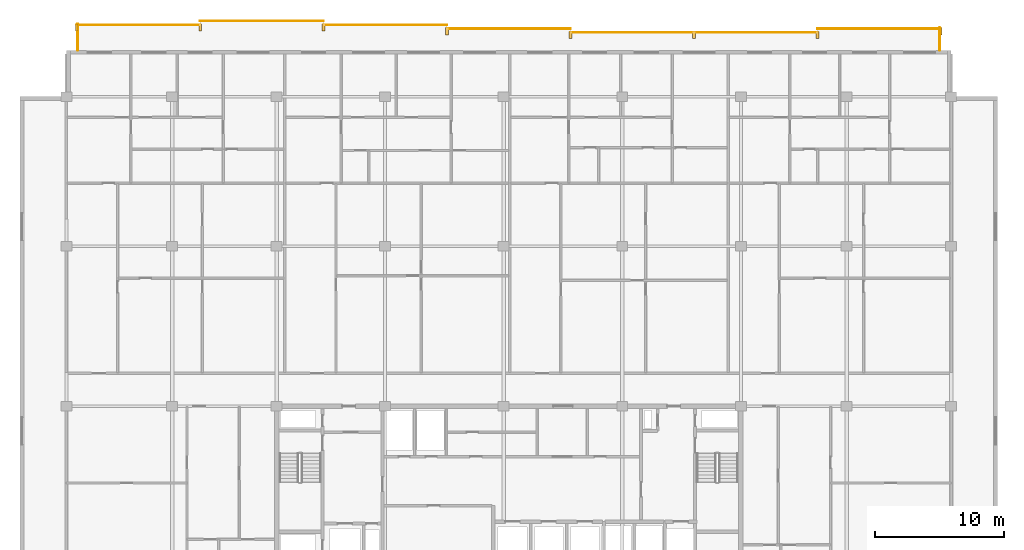
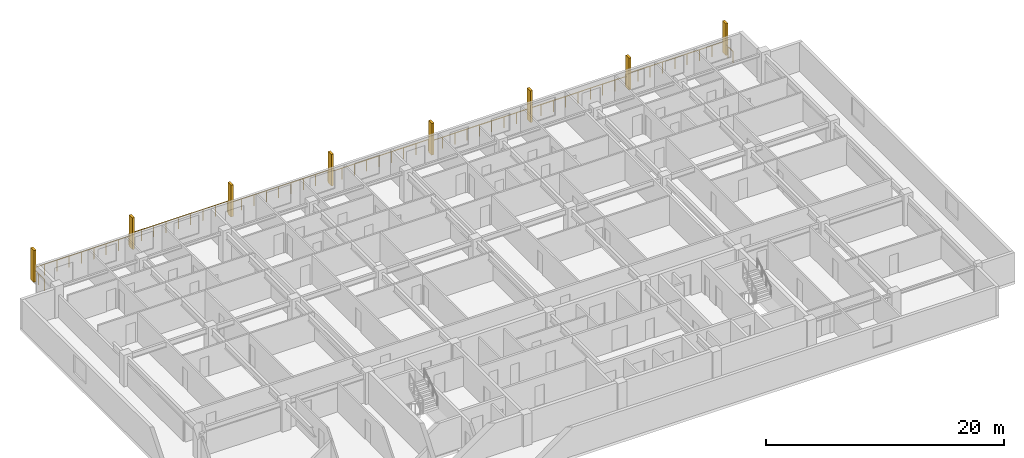
# One storey, part 23 of 23: 8 railings, 8 shading devices.
"""IFC4 building model written with IfcOpenShell, lengths in metres."""

from ifc_helpers import new_model, si_unit, direction, frame, origin, origin_2d, place, context, subcontext, project, spatial, rectangle, circle, extrude, material, type_object, element, save


model = new_model("IFC4")

# Units and contexts
model_context = context("Model", 3, precision=1e-05, world=origin(), true_north=direction((0.0, 1.0)))
body_context = subcontext(model_context, "Body", "Model", "MODEL_VIEW")
ifc_project = project(units=[si_unit("LENGTHUNIT", "METRE"), si_unit("AREAUNIT", "SQUARE_METRE"), si_unit("VOLUMEUNIT", "CUBIC_METRE"), si_unit("PLANEANGLEUNIT", "RADIAN"), si_unit("MASSUNIT", "GRAM", prefix="KILO")], contexts=[model_context])

# Site, building, storey
site_placement = place(None, origin())
site = spatial("IfcSite", under=ifc_project, at=site_placement, CompositionType="ELEMENT")
building_placement = place(site_placement, origin())
building = spatial("IfcBuilding", under=site, at=building_placement, Name="Korimba Cascade Residences", CompositionType="ELEMENT")
storey_placement = place(building_placement, frame((0.0, 0.0, 165.35009765625)))
storey = spatial("IfcBuildingStorey", under=building, at=storey_placement, Name="L47", CompositionType="ELEMENT", Elevation=165.35009765625)

# Railings
ifc_material_1 = material(Name="Laminated Glass and Bronze Balustrade", Category="glass")
railing_type = type_object("IfcRailingType", Name="RLG-LOG-1150", PredefinedType="BALUSTRADE", material=ifc_material_1)
railing_1_placement = place(storey_placement, frame((127.52001953125, 94.800048828125, 0.0)))
element("IfcRailing", 1, at=railing_1_placement, inside=storey, type_object=railing_type, Name="L47 Perimeter Guardrail RLG-L47-T1-LOG-01", PredefinedType="BALUSTRADE", context=body_context, shape_type="SweptSolid", body=[
    extrude(circle(Radius=0.02392578125, at=origin_2d()), frame((0.0, 0.0, 1.1259765625), z_axis=(0.0, 1.0, 0.0), x_axis=(-1.0, 0.0, 0.0)), (0.0, 0.0, 1.0), 1.75),
    extrude(circle(Radius=0.02099609375, at=origin_2d()), origin(), (0.0, 0.0, 1.0), 1.101806640625),
    extrude(circle(Radius=0.02099609375, at=origin_2d()), frame((0.0, 0.875, 0.0)), (0.0, 0.0, 1.0), 1.101806640625),
    extrude(circle(Radius=0.02099609375, at=origin_2d()), frame((0.0, 1.75, 0.0)), (0.0, 0.0, 1.0), 1.101806640625),
])
railing_2_placement = place(storey_placement, frame((127.60009765625, 96.469970703125, 0.0)))
element("IfcRailing", 2, at=railing_2_placement, inside=storey, type_object=railing_type, Name="L47 Perimeter Guardrail RLG-L47-T1-LOG-02", PredefinedType="BALUSTRADE", context=body_context, shape_type="SweptSolid", body=[
    extrude(circle(Radius=0.02392578125, at=origin_2d()), frame((0.0, 0.0, 1.1259765625), z_axis=(-1.0, 0.0, 0.0), x_axis=(0.0, -1.0, 0.0)), (0.0, 0.0, 1.0), 9.571533203125),
    extrude(circle(Radius=0.02099609375, at=origin_2d()), origin(), (0.0, 0.0, 1.0), 1.101806640625),
    extrude(circle(Radius=0.02099609375, at=origin_2d()), frame((-1.196533203125, 0.0, 0.0)), (0.0, 0.0, 1.0), 1.101806640625),
    extrude(circle(Radius=0.02099609375, at=origin_2d()), frame((-2.392822265625, 0.0, 0.0)), (0.0, 0.0, 1.0), 1.101806640625),
    extrude(circle(Radius=0.02099609375, at=origin_2d()), frame((-3.58935546875, 0.0, 0.0)), (0.0, 0.0, 1.0), 1.101806640625),
    extrude(circle(Radius=0.02099609375, at=origin_2d()), frame((-4.78564453125, 0.0, 0.0)), (0.0, 0.0, 1.0), 1.101806640625),
    extrude(circle(Radius=0.02099609375, at=origin_2d()), frame((-5.982177734375, 0.0, 0.0)), (0.0, 0.0, 1.0), 1.101806640625),
    extrude(circle(Radius=0.02099609375, at=origin_2d()), frame((-7.1787109375, 0.0, 0.0)), (0.0, 0.0, 1.0), 1.101806640625),
    extrude(circle(Radius=0.02099609375, at=origin_2d()), frame((-8.375, 0.0, 0.0)), (0.0, 0.0, 1.0), 1.101806640625),
    extrude(circle(Radius=0.02099609375, at=origin_2d()), frame((-9.571533203125, 0.0, 0.0)), (0.0, 0.0, 1.0), 1.101806640625),
])
railing_3_placement = place(storey_placement, frame((118.028564453125, 96.169921875, 0.0)))
element("IfcRailing", 3, at=railing_3_placement, inside=storey, type_object=railing_type, Name="L47 Perimeter Guardrail RLG-L47-T1-LOG-03", PredefinedType="BALUSTRADE", context=body_context, shape_type="SweptSolid", body=[
    extrude(circle(Radius=0.02392578125, at=origin_2d()), frame((0.0, 0.0, 1.1259765625), z_axis=(-1.0, 0.0, 0.0), x_axis=(0.0, -1.0, 0.0)), (0.0, 0.0, 1.0), 19.142822265625),
    extrude(circle(Radius=0.02099609375, at=origin_2d()), origin(), (0.0, 0.0, 1.0), 1.101806640625),
    extrude(circle(Radius=0.02099609375, at=origin_2d()), frame((-1.196533203125, 0.0, 0.0)), (0.0, 0.0, 1.0), 1.101806640625),
    extrude(circle(Radius=0.02099609375, at=origin_2d()), frame((-2.392822265625, 0.0, 0.0)), (0.0, 0.0, 1.0), 1.101806640625),
    extrude(circle(Radius=0.02099609375, at=origin_2d()), frame((-3.58935546875, 0.0, 0.0)), (0.0, 0.0, 1.0), 1.101806640625),
    extrude(circle(Radius=0.02099609375, at=origin_2d()), frame((-4.78564453125, 0.0, 0.0)), (0.0, 0.0, 1.0), 1.101806640625),
    extrude(circle(Radius=0.02099609375, at=origin_2d()), frame((-5.982177734375, 0.0, 0.0)), (0.0, 0.0, 1.0), 1.101806640625),
    extrude(circle(Radius=0.02099609375, at=origin_2d()), frame((-7.178466796875, 0.0, 0.0)), (0.0, 0.0, 1.0), 1.101806640625),
    extrude(circle(Radius=0.02099609375, at=origin_2d()), frame((-8.375, 0.0, 0.0)), (0.0, 0.0, 1.0), 1.101806640625),
    extrude(circle(Radius=0.02099609375, at=origin_2d()), frame((-9.5712890625, 0.0, 0.0)), (0.0, 0.0, 1.0), 1.101806640625),
    extrude(circle(Radius=0.02099609375, at=origin_2d()), frame((-10.767822265625, 0.0, 0.0)), (0.0, 0.0, 1.0), 1.101806640625),
    extrude(circle(Radius=0.02099609375, at=origin_2d()), frame((-11.96435546875, 0.0, 0.0)), (0.0, 0.0, 1.0), 1.101806640625),
    extrude(circle(Radius=0.02099609375, at=origin_2d()), frame((-13.16064453125, 0.0, 0.0)), (0.0, 0.0, 1.0), 1.101806640625),
    extrude(circle(Radius=0.02099609375, at=origin_2d()), frame((-14.357177734375, 0.0, 0.0)), (0.0, 0.0, 1.0), 1.101806640625),
    extrude(circle(Radius=0.02099609375, at=origin_2d()), frame((-15.553466796875, 0.0, 0.0)), (0.0, 0.0, 1.0), 1.101806640625),
    extrude(circle(Radius=0.02099609375, at=origin_2d()), frame((-16.75, 0.0, 0.0)), (0.0, 0.0, 1.0), 1.101806640625),
    extrude(circle(Radius=0.02099609375, at=origin_2d()), frame((-17.9462890625, 0.0, 0.0)), (0.0, 0.0, 1.0), 1.101806640625),
    extrude(circle(Radius=0.02099609375, at=origin_2d()), frame((-19.142822265625, 0.0, 0.0)), (0.0, 0.0, 1.0), 1.101806640625),
])
railing_4_placement = place(storey_placement, frame((98.8857421875, 96.469970703125, 0.0)))
element("IfcRailing", 4, at=railing_4_placement, inside=storey, type_object=railing_type, Name="L47 Perimeter Guardrail RLG-L47-T1-LOG-04", PredefinedType="BALUSTRADE", context=body_context, shape_type="SweptSolid", body=[
    extrude(circle(Radius=0.02392578125, at=origin_2d()), frame((0.0, 0.0, 1.1259765625), z_axis=(-1.0, 0.0, 0.0), x_axis=(0.0, -1.0, 0.0)), (0.0, 0.0, 1.0), 9.571533203125),
    extrude(circle(Radius=0.02099609375, at=origin_2d()), origin(), (0.0, 0.0, 1.0), 1.101806640625),
    extrude(circle(Radius=0.02099609375, at=origin_2d()), frame((-1.196533203125, 0.0, 0.0)), (0.0, 0.0, 1.0), 1.101806640625),
    extrude(circle(Radius=0.02099609375, at=origin_2d()), frame((-2.392822265625, 0.0, 0.0)), (0.0, 0.0, 1.0), 1.101806640625),
    extrude(circle(Radius=0.02099609375, at=origin_2d()), frame((-3.58935546875, 0.0, 0.0)), (0.0, 0.0, 1.0), 1.101806640625),
    extrude(circle(Radius=0.02099609375, at=origin_2d()), frame((-4.78564453125, 0.0, 0.0)), (0.0, 0.0, 1.0), 1.101806640625),
    extrude(circle(Radius=0.02099609375, at=origin_2d()), frame((-5.982177734375, 0.0, 0.0)), (0.0, 0.0, 1.0), 1.101806640625),
    extrude(circle(Radius=0.02099609375, at=origin_2d()), frame((-7.1787109375, 0.0, 0.0)), (0.0, 0.0, 1.0), 1.101806640625),
    extrude(circle(Radius=0.02099609375, at=origin_2d()), frame((-8.375, 0.0, 0.0)), (0.0, 0.0, 1.0), 1.101806640625),
    extrude(circle(Radius=0.02099609375, at=origin_2d()), frame((-9.571533203125, 0.0, 0.0)), (0.0, 0.0, 1.0), 1.101806640625),
])
railing_5_placement = place(storey_placement, frame((89.314208984375, 96.77001953125, 0.0)))
element("IfcRailing", 5, at=railing_5_placement, inside=storey, type_object=railing_type, Name="L47 Perimeter Guardrail RLG-L47-T1-LOG-05", PredefinedType="BALUSTRADE", context=body_context, shape_type="SweptSolid", body=[
    extrude(circle(Radius=0.02392578125, at=origin_2d()), frame((0.0, 0.0, 1.1259765625), z_axis=(-1.0, 0.0, 0.0), x_axis=(0.0, -1.0, 0.0)), (0.0, 0.0, 1.0), 9.5712890625),
    extrude(circle(Radius=0.02099609375, at=origin_2d()), origin(), (0.0, 0.0, 1.0), 1.101806640625),
    extrude(circle(Radius=0.02099609375, at=origin_2d()), frame((-1.1962890625, 0.0, 0.0)), (0.0, 0.0, 1.0), 1.101806640625),
    extrude(circle(Radius=0.02099609375, at=origin_2d()), frame((-2.392822265625, 0.0, 0.0)), (0.0, 0.0, 1.0), 1.101806640625),
    extrude(circle(Radius=0.02099609375, at=origin_2d()), frame((-3.58935546875, 0.0, 0.0)), (0.0, 0.0, 1.0), 1.101806640625),
    extrude(circle(Radius=0.02099609375, at=origin_2d()), frame((-4.78564453125, 0.0, 0.0)), (0.0, 0.0, 1.0), 1.101806640625),
    extrude(circle(Radius=0.02099609375, at=origin_2d()), frame((-5.98193359375, 0.0, 0.0)), (0.0, 0.0, 1.0), 1.101806640625),
    extrude(circle(Radius=0.02099609375, at=origin_2d()), frame((-7.178466796875, 0.0, 0.0)), (0.0, 0.0, 1.0), 1.101806640625),
    extrude(circle(Radius=0.02099609375, at=origin_2d()), frame((-8.375, 0.0, 0.0)), (0.0, 0.0, 1.0), 1.101806640625),
    extrude(circle(Radius=0.02099609375, at=origin_2d()), frame((-9.5712890625, 0.0, 0.0)), (0.0, 0.0, 1.0), 1.101806640625),
])
railing_6_placement = place(storey_placement, frame((79.742919921875, 97.070068359375, 0.0)))
element("IfcRailing", 6, at=railing_6_placement, inside=storey, type_object=railing_type, Name="L47 Perimeter Guardrail RLG-L47-T1-LOG-06", PredefinedType="BALUSTRADE", context=body_context, shape_type="SweptSolid", body=[
    extrude(circle(Radius=0.02392578125, at=origin_2d()), frame((0.0, 0.0, 1.1259765625), z_axis=(-1.0, 0.0, 0.0), x_axis=(0.0, -1.0, 0.0)), (0.0, 0.0, 1.0), 9.571533203125),
    extrude(circle(Radius=0.02099609375, at=origin_2d()), origin(), (0.0, 0.0, 1.0), 1.101806640625),
    extrude(circle(Radius=0.02099609375, at=origin_2d()), frame((-1.196533203125, 0.0, 0.0)), (0.0, 0.0, 1.0), 1.101806640625),
    extrude(circle(Radius=0.02099609375, at=origin_2d()), frame((-2.392822265625, 0.0, 0.0)), (0.0, 0.0, 1.0), 1.101806640625),
    extrude(circle(Radius=0.02099609375, at=origin_2d()), frame((-3.58935546875, 0.0, 0.0)), (0.0, 0.0, 1.0), 1.101806640625),
    extrude(circle(Radius=0.02099609375, at=origin_2d()), frame((-4.78564453125, 0.0, 0.0)), (0.0, 0.0, 1.0), 1.101806640625),
    extrude(circle(Radius=0.02099609375, at=origin_2d()), frame((-5.982177734375, 0.0, 0.0)), (0.0, 0.0, 1.0), 1.101806640625),
    extrude(circle(Radius=0.02099609375, at=origin_2d()), frame((-7.1787109375, 0.0, 0.0)), (0.0, 0.0, 1.0), 1.101806640625),
    extrude(circle(Radius=0.02099609375, at=origin_2d()), frame((-8.375, 0.0, 0.0)), (0.0, 0.0, 1.0), 1.101806640625),
    extrude(circle(Radius=0.02099609375, at=origin_2d()), frame((-9.571533203125, 0.0, 0.0)), (0.0, 0.0, 1.0), 1.101806640625),
])
railing_7_placement = place(storey_placement, frame((70.17138671875, 96.77001953125, 0.0)))
element("IfcRailing", 7, at=railing_7_placement, inside=storey, type_object=railing_type, Name="L47 Perimeter Guardrail RLG-L47-T1-LOG-07", PredefinedType="BALUSTRADE", context=body_context, shape_type="SweptSolid", body=[
    extrude(circle(Radius=0.02392578125, at=origin_2d()), frame((0.0, 0.0, 1.1259765625), z_axis=(-1.0, 0.0, 0.0), x_axis=(0.0, -1.0, 0.0)), (0.0, 0.0, 1.0), 9.5712890625),
    extrude(circle(Radius=0.02099609375, at=origin_2d()), origin(), (0.0, 0.0, 1.0), 1.101806640625),
    extrude(circle(Radius=0.02099609375, at=origin_2d()), frame((-1.1962890625, 0.0, 0.0)), (0.0, 0.0, 1.0), 1.101806640625),
    extrude(circle(Radius=0.02099609375, at=origin_2d()), frame((-2.392822265625, 0.0, 0.0)), (0.0, 0.0, 1.0), 1.101806640625),
    extrude(circle(Radius=0.02099609375, at=origin_2d()), frame((-3.58935546875, 0.0, 0.0)), (0.0, 0.0, 1.0), 1.101806640625),
    extrude(circle(Radius=0.02099609375, at=origin_2d()), frame((-4.78564453125, 0.0, 0.0)), (0.0, 0.0, 1.0), 1.101806640625),
    extrude(circle(Radius=0.02099609375, at=origin_2d()), frame((-5.98193359375, 0.0, 0.0)), (0.0, 0.0, 1.0), 1.101806640625),
    extrude(circle(Radius=0.02099609375, at=origin_2d()), frame((-7.178466796875, 0.0, 0.0)), (0.0, 0.0, 1.0), 1.101806640625),
    extrude(circle(Radius=0.02099609375, at=origin_2d()), frame((-8.375, 0.0, 0.0)), (0.0, 0.0, 1.0), 1.101806640625),
    extrude(circle(Radius=0.02099609375, at=origin_2d()), frame((-9.5712890625, 0.0, 0.0)), (0.0, 0.0, 1.0), 1.101806640625),
])
railing_8_placement = place(storey_placement, frame((60.679931640625, 96.85009765625, 0.0)))
element("IfcRailing", 8, at=railing_8_placement, inside=storey, type_object=railing_type, Name="L47 Perimeter Guardrail RLG-L47-T1-LOG-08", PredefinedType="BALUSTRADE", context=body_context, shape_type="SweptSolid", body=[
    extrude(circle(Radius=0.02392578125, at=origin_2d()), frame((0.0, 0.0, 1.1259765625), z_axis=(0.0, -1.0, 0.0), x_axis=(1.0, 0.0, 0.0)), (0.0, 0.0, 1.0), 2.050048828125),
    extrude(circle(Radius=0.02099609375, at=origin_2d()), origin(), (0.0, 0.0, 1.0), 1.101806640625),
    extrude(circle(Radius=0.02099609375, at=origin_2d()), frame((0.0, -1.02490234375, 0.0)), (0.0, 0.0, 1.0), 1.101806640625),
    extrude(circle(Radius=0.02099609375, at=origin_2d()), frame((0.0, -2.050048828125, 0.0)), (0.0, 0.0, 1.0), 1.101806640625),
])

# Shading devices
ifc_material_2 = material(Name="Honed Sandstone Precast Fin", Category="masonry")
shading_device_type = type_object("IfcShadingDeviceType", Name="SHD-FIN-550", PredefinedType="USERDEFINED", material=ifc_material_2)
for number, where, z_axis, x_axis, name in (
    (9, (60.60009765625, 96.574951171875, 0.0), (0.0, 0.0, 1.0), (1.0, 0.0, 0.0), "L47 T1 Warm-Stone Loggia Fin 1"),
    (10, (70.17138671875, 96.574951171875, 0.0), (0.0, 0.0, 1.0), (1.0, 0.0, 0.0), "L47 T1 Warm-Stone Loggia Fin 2"),
    (11, (79.742919921875, 96.574951171875, 0.0), (0.0, 0.0, 1.0), (1.0, 0.0, 0.0), "L47 T1 Warm-Stone Loggia Fin 3"),
    (12, (89.314208984375, 96.27490234375, 0.0), (0.0, 0.0, 1.0), (1.0, 0.0, 0.0), "L47 T1 Warm-Stone Loggia Fin 4"),
    (13, (98.8857421875, 95.97509765625, 0.0), (0.0, 0.0, 1.0), (1.0, 0.0, 0.0), "L47 T1 Warm-Stone Loggia Fin 5"),
    (14, (108.45703125, 95.97509765625, 0.0), (0.0, 0.0, 1.0), (1.0, 0.0, 0.0), "L47 T1 Warm-Stone Loggia Fin 6"),
    (15, (118.028564453125, 95.97509765625, 0.0), (0.0, 0.0, 1.0), (1.0, 0.0, 0.0), "L47 T1 Warm-Stone Loggia Fin 7"),
    (16, (127.60009765625, 96.27490234375, 0.0), (0.0, 0.0, 1.0), (1.0, 0.0, 0.0), "L47 T1 Warm-Stone Loggia Fin 8"),
):
    element("IfcShadingDevice", number, at=place(storey_placement, frame(where, z_axis=z_axis, x_axis=x_axis)), inside=storey, type_object=shading_device_type, Name=name, ObjectType="FIN", PredefinedType="USERDEFINED", context=body_context, shape_type="SweptSolid", body=[
        extrude(rectangle(XDim=0.219970703125, YDim=0.550048828125, at=origin_2d()), origin(), (0.0, 0.0, 1.0), 3.25),
    ])

save(model, "model.ifc")
